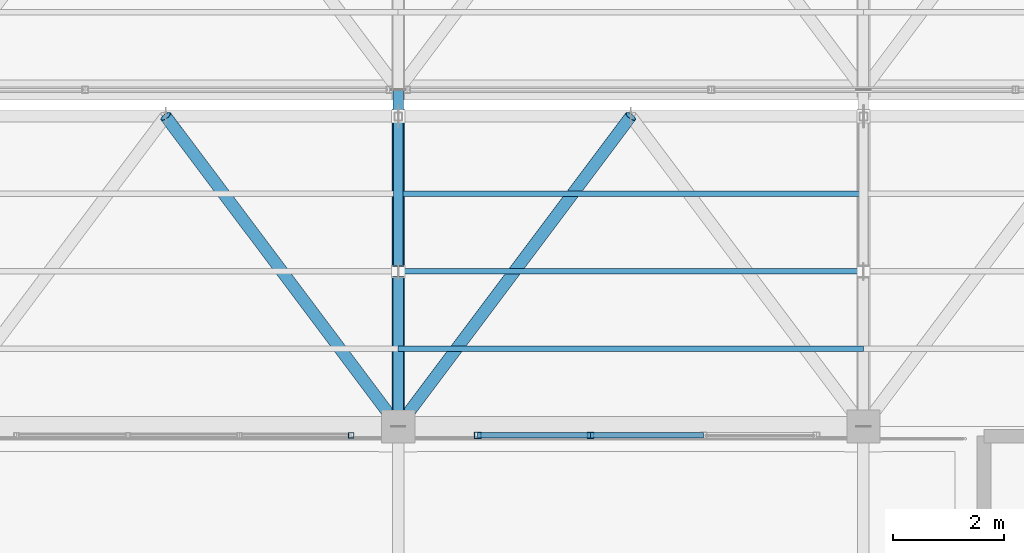
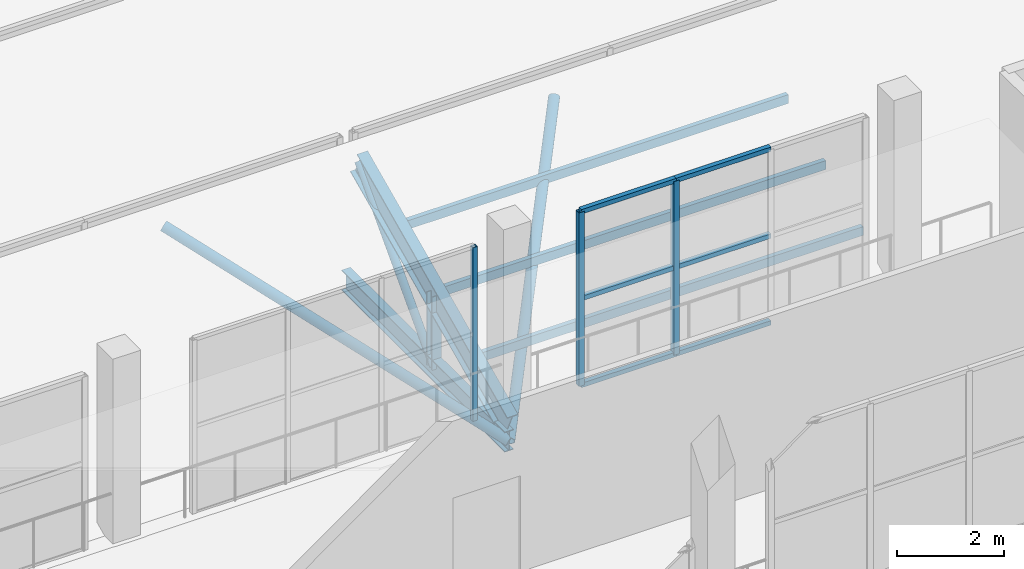
# One storey, part 75 of 217: 18 members, 2 elements without a shape of their own.
"""IFC4 building model written with IfcOpenShell, lengths in metres."""

from ifc_helpers import new_model, si_unit, direction, frame, origin, origin_2d, place, context, subcontext, project, spatial, hollow_rectangle, hollow_circle, i_section, extrude, material, material_profile, profile_set, type_object, element, aggregate, save


model = new_model("IFC4")

# Units and contexts
model_context = context("Model", 3, precision=1e-05, world=origin(), true_north=direction((0.0, 1.0)))
body_context = subcontext(model_context, "Body", "Model", "MODEL_VIEW")
ifc_project = project(units=[si_unit("LENGTHUNIT", "METRE"), si_unit("AREAUNIT", "SQUARE_METRE"), si_unit("VOLUMEUNIT", "CUBIC_METRE"), si_unit("PLANEANGLEUNIT", "RADIAN"), si_unit("MASSUNIT", "GRAM", prefix="KILO")], contexts=[model_context])

# Site, building, storey
site_placement = place(None, origin())
site = spatial("IfcSite", under=ifc_project, at=site_placement, CompositionType="ELEMENT")
building_placement = place(site_placement, origin())
building = spatial("IfcBuilding", under=site, at=building_placement, Name="Zuvorla Pavilion Media Centre", CompositionType="ELEMENT")
storey_placement = place(building_placement, frame((0.0, 0.0, 9.60009765625)))
storey = spatial("IfcBuildingStorey", under=building, at=storey_placement, Name="L02", CompositionType="ELEMENT", Elevation=9.60009765625)

# Curtain wall, member
ifc_material_1 = material(Name="Unitised anodised aluminium and solar glass curtain wall", Category="aluminium")
curtain_wall_type_1 = type_object("IfcCurtainWallType", Name="CW-SYS-15", PredefinedType="USERDEFINED", material=ifc_material_1)
curtain_wall_1_placement = place(storey_placement, origin())
curtain_wall_1 = element("IfcCurtainWall", 1, at=curtain_wall_1_placement, inside=storey, type_object=curtain_wall_type_1, Name="L02 curtain wall CW15 20", ObjectType="CURTAIN WALL", PredefinedType="USERDEFINED")
ifc_material_2 = material(Name="Anodised aluminium 6063-T6", Category="aluminium")
ifc_material_profile_1 = material_profile(ifc_material_2, hollow_rectangle(XDim=0.10009765625, YDim=0.10009765625, WallThickness=0.00439453125, at=origin_2d()), Name="ALU MULL 100x100")
ifc_profile_set_1 = profile_set([ifc_material_profile_1], Name="Anodised aluminium 6063-T6")
member_type_1 = type_object("IfcMemberType", Name="CW-MULL-100", PredefinedType="MULLION", material=ifc_profile_set_1)
member_1_placement = place(storey_placement, frame((82.749755859375, 89.43994140625, 0.0), z_axis=(0.0, 0.0, 1.0), x_axis=(1.0, 0.0, 0.0)))
member_1 = element("IfcMember", 2, at=member_1_placement, type_object=member_type_1, Name="CW15 mullion 1", PredefinedType="MULLION", context=body_context, shape_type="SweptSolid", body=[
    extrude(hollow_rectangle(XDim=0.10009765625, YDim=0.10009765625, WallThickness=0.00439453125, at=origin_2d()), origin(), (0.0, 0.0, 1.0), 3.949951171875),
])
aggregate(curtain_wall_1, [member_1])

# Curtain wall, members
curtain_wall_type_2 = type_object("IfcCurtainWallType", Name="CW-SYS-14", PredefinedType="USERDEFINED", material=ifc_material_1)
curtain_wall_2_placement = place(storey_placement, origin())
curtain_wall_2 = element("IfcCurtainWall", 3, at=curtain_wall_2_placement, inside=storey, type_object=curtain_wall_type_2, Name="L02 curtain wall CW14 19", ObjectType="CURTAIN WALL", PredefinedType="USERDEFINED")
ifc_material_profile_2 = material_profile(ifc_material_2, hollow_rectangle(XDim=0.1201171875, YDim=0.1201171875, WallThickness=0.0048828125, at=origin_2d()), Name="ALU MULL 120x120")
ifc_profile_set_2 = profile_set([ifc_material_profile_2], Name="Anodised aluminium 6063-T6")
member_type_2 = type_object("IfcMemberType", Name="CW-MULL-120", PredefinedType="MULLION", material=ifc_profile_set_2)
member_2_placement = place(storey_placement, frame((87.0732421875, 89.43994140625, 0.0), z_axis=(0.0, 0.0, 1.0), x_axis=(1.0, 0.0, 0.0)))
member_2 = element("IfcMember", 4, at=member_2_placement, type_object=member_type_2, Name="CW14 mullion 3", PredefinedType="MULLION", context=body_context, shape_type="SweptSolid", body=[
    extrude(hollow_rectangle(XDim=0.1201171875, YDim=0.1201171875, WallThickness=0.0048828125, at=origin_2d()), origin(), (0.0, 0.0, 1.0), 3.949951171875),
])
member_3_placement = place(storey_placement, frame((85.034912109375, 89.43994140625, 0.0), z_axis=(0.0, 0.0, 1.0), x_axis=(1.0, 0.0, 0.0)))
member_3 = element("IfcMember", 5, at=member_3_placement, type_object=member_type_2, Name="CW14 mullion 4", PredefinedType="MULLION", context=body_context, shape_type="SweptSolid", body=[
    extrude(hollow_rectangle(XDim=0.1201171875, YDim=0.1201171875, WallThickness=0.0048828125, at=origin_2d()), origin(), (0.0, 0.0, 1.0), 3.949951171875),
])
ifc_material_profile_3 = material_profile(ifc_material_2, hollow_rectangle(XDim=0.10009765625, YDim=0.10009765625, WallThickness=0.00439453125, at=origin_2d()), Name="ALU TRAN 100x100")
ifc_profile_set_3 = profile_set([ifc_material_profile_3], Name="Anodised aluminium 6063-T6")
member_type_3 = type_object("IfcMemberType", Name="CW-TRAN-100", PredefinedType="USERDEFINED", material=ifc_profile_set_3)
member_4_placement = place(storey_placement, frame((89.111572265625, 89.43994140625, 0.0), z_axis=(-1.0, 0.0, 0.0), x_axis=(0.0, -1.0, 0.0)))
member_4 = element("IfcMember", 6, at=member_4_placement, type_object=member_type_3, Name="CW14 transom 2.1", ObjectType="TRANSOM", PredefinedType="USERDEFINED", context=body_context, shape_type="SweptSolid", body=[
    extrude(hollow_rectangle(XDim=0.10009765625, YDim=0.10009765625, WallThickness=0.00439453125, at=origin_2d()), origin(), (0.0, 0.0, 1.0), 2.038330078125),
])
member_5_placement = place(storey_placement, frame((89.111572265625, 89.43994140625, 1.974853515625), z_axis=(-1.0, 0.0, 0.0), x_axis=(0.0, -1.0, 0.0)))
member_5 = element("IfcMember", 7, at=member_5_placement, type_object=member_type_3, Name="CW14 transom 2.2", ObjectType="TRANSOM", PredefinedType="USERDEFINED", context=body_context, shape_type="SweptSolid", body=[
    extrude(hollow_rectangle(XDim=0.10009765625, YDim=0.10009765625, WallThickness=0.00439453125, at=origin_2d()), origin(), (0.0, 0.0, 1.0), 2.038330078125),
])
member_6_placement = place(storey_placement, frame((89.111572265625, 89.43994140625, 3.949951171875), z_axis=(-1.0, 0.0, 0.0), x_axis=(0.0, -1.0, 0.0)))
member_6 = element("IfcMember", 8, at=member_6_placement, type_object=member_type_3, Name="CW14 transom 2.3", ObjectType="TRANSOM", PredefinedType="USERDEFINED", context=body_context, shape_type="SweptSolid", body=[
    extrude(hollow_rectangle(XDim=0.10009765625, YDim=0.10009765625, WallThickness=0.00439453125, at=origin_2d()), origin(), (0.0, 0.0, 1.0), 2.038330078125),
])
member_7_placement = place(storey_placement, frame((87.0732421875, 89.43994140625, 0.0), z_axis=(-1.0, 0.0, 0.0), x_axis=(0.0, -1.0, 0.0)))
member_7 = element("IfcMember", 9, at=member_7_placement, type_object=member_type_3, Name="CW14 transom 3.1", ObjectType="TRANSOM", PredefinedType="USERDEFINED", context=body_context, shape_type="SweptSolid", body=[
    extrude(hollow_rectangle(XDim=0.10009765625, YDim=0.10009765625, WallThickness=0.00439453125, at=origin_2d()), origin(), (0.0, 0.0, 1.0), 2.038330078125),
])
member_8_placement = place(storey_placement, frame((87.0732421875, 89.43994140625, 1.974853515625), z_axis=(-1.0, 0.0, 0.0), x_axis=(0.0, -1.0, 0.0)))
member_8 = element("IfcMember", 10, at=member_8_placement, type_object=member_type_3, Name="CW14 transom 3.2", ObjectType="TRANSOM", PredefinedType="USERDEFINED", context=body_context, shape_type="SweptSolid", body=[
    extrude(hollow_rectangle(XDim=0.10009765625, YDim=0.10009765625, WallThickness=0.00439453125, at=origin_2d()), origin(), (0.0, 0.0, 1.0), 2.038330078125),
])
member_9_placement = place(storey_placement, frame((87.0732421875, 89.43994140625, 3.949951171875), z_axis=(-1.0, 0.0, 0.0), x_axis=(0.0, -1.0, 0.0)))
member_9 = element("IfcMember", 11, at=member_9_placement, type_object=member_type_3, Name="CW14 transom 3.3", ObjectType="TRANSOM", PredefinedType="USERDEFINED", context=body_context, shape_type="SweptSolid", body=[
    extrude(hollow_rectangle(XDim=0.10009765625, YDim=0.10009765625, WallThickness=0.00439453125, at=origin_2d()), origin(), (0.0, 0.0, 1.0), 2.038330078125),
])
aggregate(curtain_wall_2, [member_2, member_3, member_4, member_5, member_6, member_7, member_8, member_9])

# Members
ifc_material_3 = material(Name="Steel S355", Category="steel")
ifc_material_profile_4 = material_profile(ifc_material_3, hollow_circle(Radius=0.084228515625, WallThickness=0.008056640625, at=origin_2d()), Name="CHS 168.3x8")
ifc_profile_set_4 = profile_set([ifc_material_profile_4], Name="Steel S355")
member_type_4 = type_object("IfcMemberType", Name="MEM-BRC-CHS168", PredefinedType="BRACE", material=ifc_profile_set_4)
member_10_placement = place(storey_placement, frame((83.60009765625, 92.39990234375, -0.880126953125), z_axis=(0.0, 0.68676242614, 0.726881950555), x_axis=(-1.0, 0.0, 0.0)))
element("IfcMember", 12, at=member_10_placement, inside=storey, type_object=member_type_4, Name="L02 diagonal brace TB03 46", PredefinedType="BRACE", context=body_context, shape_type="SweptSolid", body=[
    extrude(hollow_circle(Radius=0.084228515625, WallThickness=0.008056640625, at=origin_2d()), origin(), (0.0, 0.0, 1.0), 4.0771484375),
])
ifc_material_profile_5 = material_profile(ifc_material_3, hollow_circle(Radius=0.109619140625, WallThickness=0.010009765625, at=origin_2d()), Name="CHS 219.1x10")
ifc_profile_set_5 = profile_set([ifc_material_profile_5], Name="Steel S355")
member_type_5 = type_object("IfcMemberType", Name="MEM-BRC-CHS219", PredefinedType="BRACE", material=ifc_profile_set_5)
member_11_placement = place(storey_placement, frame((79.39990234375, 95.199951171875, 2.08349609375), z_axis=(0.552546982264, -0.73667578076, -0.389872577174), x_axis=(0.799979073174, 0.600027901421, 0.0)))
element("IfcMember", 13, at=member_11_placement, inside=storey, type_object=member_type_5, Name="L02 diagonal brace TB02 86", PredefinedType="BRACE", context=body_context, shape_type="SweptSolid", body=[
    extrude(hollow_circle(Radius=0.109619140625, WallThickness=0.010009765625, at=origin_2d()), origin(), (0.0, 0.0, 1.0), 7.6015625),
])
member_12_placement = place(storey_placement, frame((83.60009765625, 89.60009765625, -0.880126953125), z_axis=(0.552524670006, 0.736688854033, 0.389879495972), x_axis=(-0.799995814625, 0.600005580459, 0.0)))
element("IfcMember", 14, at=member_12_placement, inside=storey, type_object=member_type_5, Name="L02 diagonal brace TB02 91", PredefinedType="BRACE", context=body_context, shape_type="SweptSolid", body=[
    extrude(hollow_circle(Radius=0.109619140625, WallThickness=0.010009765625, at=origin_2d()), origin(), (0.0, 0.0, 1.0), 7.601318359375),
])
ifc_material_profile_6 = material_profile(ifc_material_3, i_section(OverallWidth=0.19140625, OverallDepth=0.4599609375, WebThickness=0.010009765625, FlangeThickness=0.01611328125, FilletRadius=0.01025390625, at=origin_2d()), Name="UB 457x191x82")
ifc_profile_set_6 = profile_set([ifc_material_profile_6], Name="Steel S355")
member_type_6 = type_object("IfcMemberType", Name="MEM-CHD-UB457", PredefinedType="CHORD", material=ifc_profile_set_6)
member_13_placement = place(storey_placement, frame((83.60009765625, 89.60009765625, -0.880126953125), z_axis=(0.0, 1.0, 0.0), x_axis=(-1.0, 0.0, 0.0)))
element("IfcMember", 15, at=member_13_placement, inside=storey, type_object=member_type_6, Name="L02 chord TC03 43", PredefinedType="CHORD", context=body_context, shape_type="SweptSolid", body=[
    extrude(i_section(OverallWidth=0.19140625, OverallDepth=0.4599609375, WebThickness=0.010009765625, FlangeThickness=0.01611328125, FilletRadius=0.01025390625, at=origin_2d()), origin(), (0.0, 0.0, 1.0), 6.079833984375),
])
ifc_material_profile_7 = material_profile(ifc_material_3, i_section(OverallWidth=0.22900390625, OverallDepth=0.6123046875, WebThickness=0.011962890625, FlangeThickness=0.01953125, FilletRadius=0.0126953125, at=origin_2d()), Name="UB 610x229x125")
ifc_profile_set_7 = profile_set([ifc_material_profile_7], Name="Steel S355")
member_type_7 = type_object("IfcMemberType", Name="MEM-CHD-UB610", PredefinedType="CHORD", material=ifc_profile_set_7)
member_14_placement = place(storey_placement, frame((83.60009765625, 89.60009765625, -0.5166015625), z_axis=(0.0, 0.906998718654, 0.421133380724), x_axis=(-1.0, 0.0, 0.0)))
element("IfcMember", 16, at=member_14_placement, inside=storey, type_object=member_type_7, Name="L02 chord TC01 44", PredefinedType="CHORD", context=body_context, shape_type="SweptSolid", body=[
    extrude(i_section(OverallWidth=0.22900390625, OverallDepth=0.6123046875, WebThickness=0.011962890625, FlangeThickness=0.01953125, FilletRadius=0.0126953125, at=origin_2d()), origin(), (0.0, 0.0, 1.0), 6.174072265625),
])
ifc_material_profile_8 = material_profile(ifc_material_3, hollow_rectangle(XDim=0.10009765625, YDim=0.199951171875, WallThickness=0.008056640625, at=origin_2d()), Name="RHS 200x100x8")
ifc_profile_set_8 = profile_set([ifc_material_profile_8], Name="Steel S355")
member_type_8 = type_object("IfcMemberType", Name="MEM-PUR-RHS200", PredefinedType="PURLIN", material=ifc_profile_set_8)
for number, where, z_axis, x_axis, name in (
    (17, (83.60009765625, 91.0, 0.133544921875), (1.0, 0.0, 0.0), (0.0, 1.0, 0.0), "L02 purlin PR01 93"),
    (18, (83.60009765625, 92.39990234375, 0.783447265625), (1.0, 0.0, 0.0), (0.0, 1.0, 0.0), "L02 purlin PR01 94"),
    (19, (83.60009765625, 93.800048828125, 1.43359375), (1.0, 0.0, 0.0), (0.0, 1.0, 0.0), "L02 purlin PR01 95"),
):
    element("IfcMember", number, at=place(storey_placement, frame(where, z_axis=z_axis, x_axis=x_axis)), inside=storey, type_object=member_type_8, Name=name, PredefinedType="PURLIN", context=body_context, shape_type="SweptSolid", body=[
        extrude(hollow_rectangle(XDim=0.10009765625, YDim=0.199951171875, WallThickness=0.008056640625, at=origin_2d()), origin(), (0.0, 0.0, 1.0), 8.39990234375),
    ])
ifc_material_profile_9 = material_profile(ifc_material_3, i_section(OverallWidth=0.205810546875, OverallDepth=0.209716796875, WebThickness=0.009521484375, FlangeThickness=0.01416015625, FilletRadius=0.01025390625, at=origin_2d()), Name="UC 203x203x60")
ifc_profile_set_9 = profile_set([ifc_material_profile_9], Name="Steel S355")
member_type_9 = type_object("IfcMemberType", Name="MEM-STR-UC203", PredefinedType="STRUT", material=ifc_profile_set_9)
member_15_placement = place(storey_placement, frame((83.60009765625, 92.39990234375, -0.880126953125), z_axis=(0.0, 0.0, 1.0), x_axis=(1.0, 0.0, 0.0)))
element("IfcMember", 20, at=member_15_placement, inside=storey, type_object=member_type_9, Name="L02 vertical strut TS02 47", PredefinedType="STRUT", context=body_context, shape_type="SweptSolid", body=[
    extrude(i_section(OverallWidth=0.205810546875, OverallDepth=0.209716796875, WebThickness=0.009521484375, FlangeThickness=0.01416015625, FilletRadius=0.01025390625, at=origin_2d()), origin(), (0.0, 0.0, 1.0), 1.66357421875),
])

save(model, "model.ifc")
